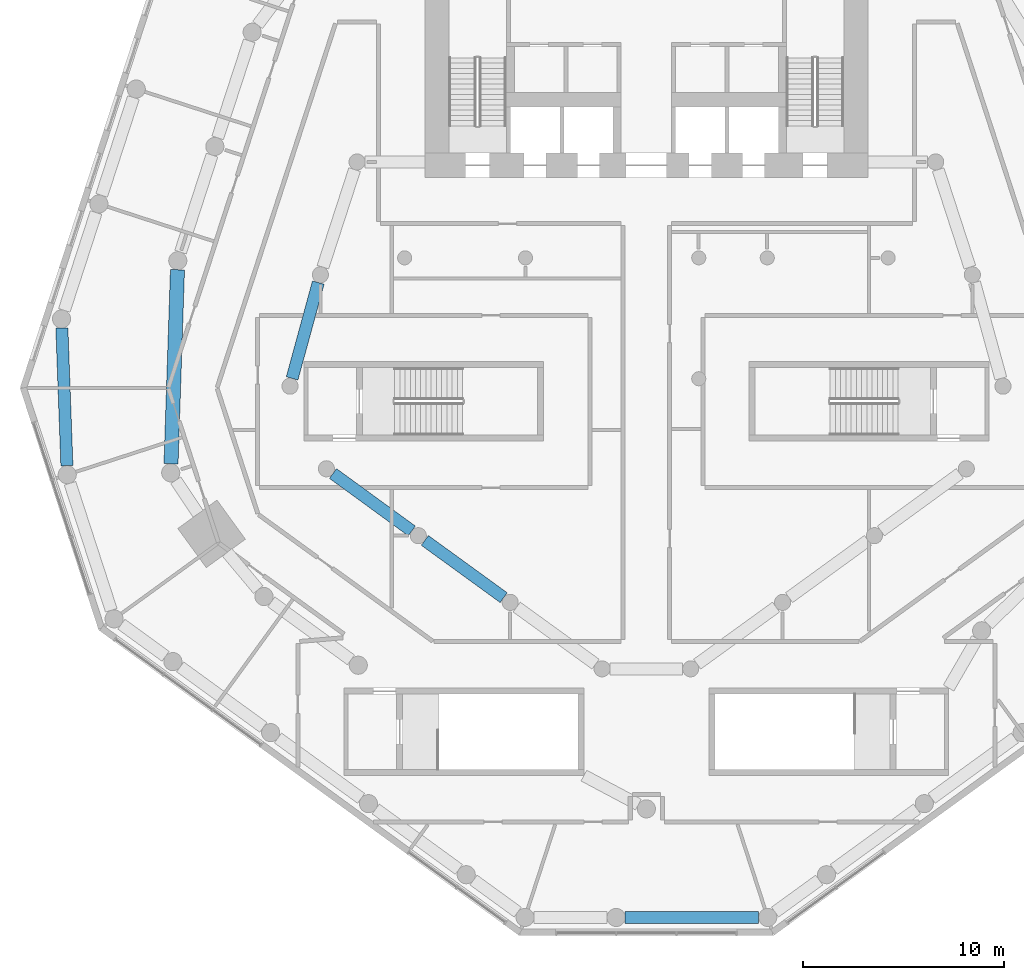
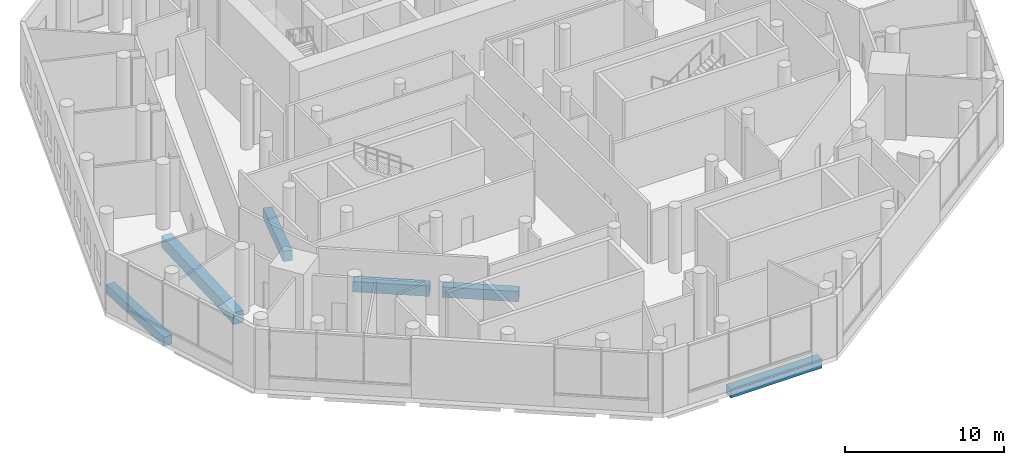
# One storey, part 3 of 15: 6 beams.
"""IFC4 building model written with IfcOpenShell, lengths in metres."""

from ifc_helpers import new_model, si_unit, direction, frame, origin, origin_2d, place, context, subcontext, project, spatial, rectangle, extrude, material, material_profile, profile_set, type_object, element, save


model = new_model("IFC4")

# Units and contexts
model_context = context("Model", 3, precision=1e-05, world=origin(), true_north=direction((0.0, 1.0)))
body_context = subcontext(model_context, "Body", "Model", "MODEL_VIEW")
ifc_project = project(units=[si_unit("LENGTHUNIT", "METRE"), si_unit("AREAUNIT", "SQUARE_METRE"), si_unit("VOLUMEUNIT", "CUBIC_METRE"), si_unit("PLANEANGLEUNIT", "RADIAN"), si_unit("MASSUNIT", "GRAM", prefix="KILO")], contexts=[model_context])

# Site, building, storey
site_placement = place(None, origin())
site = spatial("IfcSite", under=ifc_project, at=site_placement, CompositionType="ELEMENT")
building_placement = place(site_placement, origin())
building = spatial("IfcBuilding", under=site, at=building_placement, Name="White Candle Pilgrim Tower", CompositionType="ELEMENT")
storey_placement = place(building_placement, frame((0.0, 0.0, 34.0)))
storey = spatial("IfcBuildingStorey", under=building, at=storey_placement, Name="L05", CompositionType="ELEMENT", Elevation=34.0)

# Beams
ifc_material = material(Name="Concrete C50/60", Category="concrete")
ifc_material_profile_1 = material_profile(ifc_material, rectangle(XDim=0.60009765625, YDim=0.800048828125, at=origin_2d()), Name="RC-BM 600x800")
ifc_profile_set_1 = profile_set([ifc_material_profile_1], Name="Concrete C50/60")
beam_type_1 = type_object("IfcBeamType", Name="Ring beam RC-BM 600x800 C50/60", PredefinedType="BEAM", material=ifc_profile_set_1)
beam_1_placement = place(storey_placement, frame((54.443115234375, 56.294677734375, -0.75), z_axis=(0.808428473545, -0.588594430115, 0.0), x_axis=(0.588594430115, 0.808428473545, 0.0)))
element("IfcBeam", 1, at=beam_1_placement, inside=storey, type_object=beam_type_1, Name="L05 ring beam R01", PredefinedType="BEAM", context=body_context, shape_type="SweptSolid", body=[
    extrude(rectangle(XDim=0.60009765625, YDim=0.800048828125, at=origin_2d()), origin(), (0.0, 0.0, 1.0), 4.841064453125),
])
beam_2_placement = place(storey_placement, frame((59.00341796875, 52.97509765625, -0.75), z_axis=(0.809305595912, -0.587387821141, 0.0), x_axis=(0.587387821141, 0.809305595912, 0.0)))
element("IfcBeam", 2, at=beam_2_placement, inside=storey, type_object=beam_type_1, Name="L05 ring beam R02", PredefinedType="BEAM", context=body_context, shape_type="SweptSolid", body=[
    extrude(rectangle(XDim=0.60009765625, YDim=0.800048828125, at=origin_2d()), origin(), (0.0, 0.0, 1.0), 4.835205078125),
])
beam_3_placement = place(storey_placement, frame((53.714599609375, 65.774169921875, -0.75), z_axis=(-0.263418939206, -0.964681534221, 0.0), x_axis=(0.964681534221, -0.263418939206, 0.0)))
element("IfcBeam", 3, at=beam_3_placement, inside=storey, type_object=beam_type_1, Name="L05 ring beam R13", PredefinedType="BEAM", context=body_context, shape_type="SweptSolid", body=[
    extrude(rectangle(XDim=0.60009765625, YDim=0.800048828125, at=origin_2d()), origin(), (0.0, 0.0, 1.0), 4.9326171875),
])
ifc_material_profile_2 = material_profile(ifc_material, rectangle(XDim=0.60009765625, YDim=0.699951171875, at=origin_2d()), Name="RC-BM 600x700")
ifc_profile_set_2 = profile_set([ifc_material_profile_2], Name="Concrete C50/60")
beam_type_2 = type_object("IfcBeamType", Name="Spandrel beam RC-BM 600x700 C50/60", PredefinedType="BEAM", material=ifc_profile_set_2)
beam_4_placement = place(storey_placement, frame((68.949951171875, 34.260986328125, -0.699951171875), z_axis=(1.0, 0.0, 0.0), x_axis=(0.0, 1.0, 0.0)))
element("IfcBeam", 4, at=beam_4_placement, inside=storey, type_object=beam_type_2, Name="L05 spandrel beam C08", PredefinedType="BEAM", context=body_context, shape_type="SweptSolid", body=[
    extrude(rectangle(XDim=0.60009765625, YDim=0.699951171875, at=origin_2d()), origin(), (0.0, 0.0, 1.0), 6.6240234375),
])
beam_5_placement = place(storey_placement, frame((40.986572265625, 63.51953125, -0.699951171875), z_axis=(0.036562645264, -0.999331362948, 0.0), x_axis=(0.999331362948, 0.036562645264, 0.0)))
element("IfcBeam", 5, at=beam_5_placement, inside=storey, type_object=beam_type_2, Name="L05 spandrel beam C22", PredefinedType="BEAM", context=body_context, shape_type="SweptSolid", body=[
    extrude(rectangle(XDim=0.60009765625, YDim=0.699951171875, at=origin_2d()), origin(), (0.0, 0.0, 1.0), 6.837646484375),
])
ifc_material_profile_3 = material_profile(ifc_material, rectangle(XDim=0.699951171875, YDim=0.89990234375, at=origin_2d()), Name="RC-BM 700x900")
ifc_profile_set_3 = profile_set([ifc_material_profile_3], Name="Concrete C50/60")
beam_type_3 = type_object("IfcBeamType", Name="Spandrel beam RC-BM 700x900 C50/60", PredefinedType="BEAM", material=ifc_profile_set_3)
beam_6_placement = place(storey_placement, frame((46.72509765625, 66.410400390625, -0.800048828125), z_axis=(-0.033240594223, -0.999447378753, 0.0), x_axis=(0.999447378753, -0.033240594223, 0.0)))
element("IfcBeam", 6, at=beam_6_placement, inside=storey, type_object=beam_type_3, Name="L05 spandrel beam T17", PredefinedType="BEAM", context=body_context, shape_type="SweptSolid", body=[
    extrude(rectangle(XDim=0.699951171875, YDim=0.89990234375, at=origin_2d()), origin(), (0.0, 0.0, 1.0), 9.63623046875),
])

save(model, "model.ifc")
